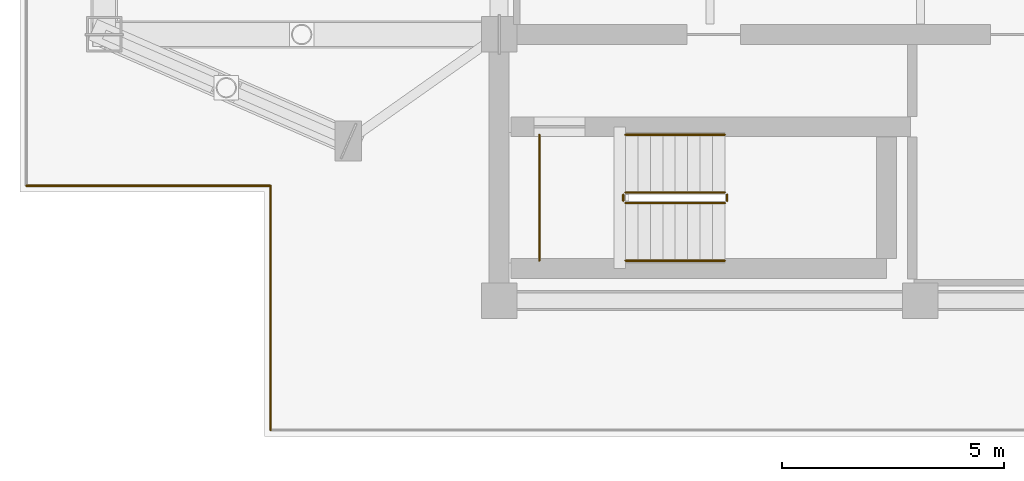
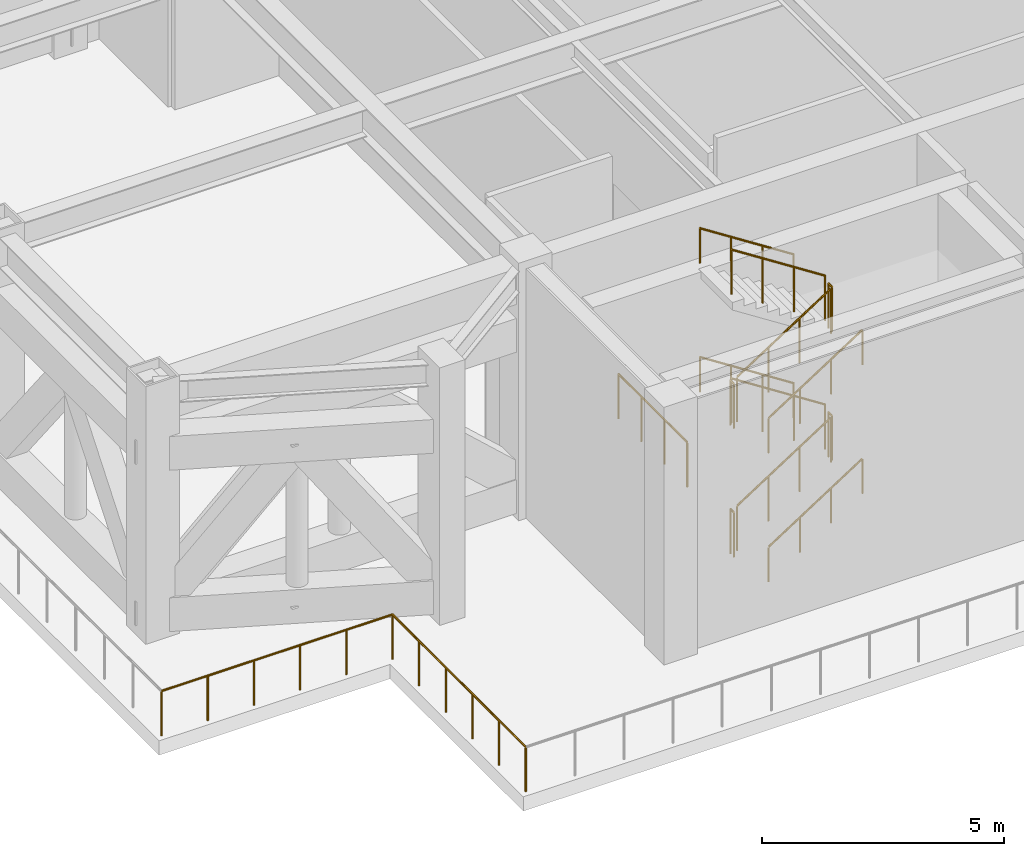
# One storey, part 8 of 11: 15 railings.
"""IFC4 building model written with IfcOpenShell, lengths in metres."""

from ifc_helpers import new_model, si_unit, direction, frame, origin, origin_2d, place, context, subcontext, project, spatial, circle, extrude, material, type_object, element, save


model = new_model("IFC4")

# Units and contexts
model_context = context("Model", 3, precision=1e-05, world=origin(), true_north=direction((0.0, 1.0)))
body_context = subcontext(model_context, "Body", "Model", "MODEL_VIEW")
ifc_project = project(units=[si_unit("LENGTHUNIT", "METRE"), si_unit("AREAUNIT", "SQUARE_METRE"), si_unit("VOLUMEUNIT", "CUBIC_METRE"), si_unit("PLANEANGLEUNIT", "RADIAN"), si_unit("MASSUNIT", "GRAM", prefix="KILO")], contexts=[model_context])

# Site, building, storey
site_placement = place(None, origin())
site = spatial("IfcSite", under=ifc_project, at=site_placement, CompositionType="ELEMENT")
building_placement = place(site_placement, origin())
building = spatial("IfcBuilding", under=site, at=building_placement, Name="Mirazonda Arch Towers", CompositionType="ELEMENT")
storey_placement = place(building_placement, frame((0.0, 0.0, 212.89990234375)))
storey = spatial("IfcBuildingStorey", under=building, at=storey_placement, Name="L61", CompositionType="ELEMENT", Elevation=212.89990234375)

# Railings
ifc_material = material(Name="Architectural Brushed Steel S355", Category="steel")
railing_type_1 = type_object("IfcRailingType", Name="GUARD-EXT-1150", PredefinedType="GUARDRAIL", material=ifc_material)
railing_1_placement = place(storey_placement, frame((0.340087890625, 14.989990234375, 0.0)))
element("IfcRailing", 1, at=railing_1_placement, inside=storey, type_object=railing_type_1, Name="L61 T1 Open Wind-Portal Perimeter Guard 11", PredefinedType="GUARDRAIL", context=body_context, shape_type="SweptSolid", body=[
    extrude(circle(Radius=0.02392578125, at=origin_2d()), frame((0.0, 0.0, 1.1259765625), z_axis=(1.0, 0.0, 0.0), x_axis=(0.0, 1.0, 0.0)), (0.0, 0.0, 1.0), 5.510009765625),
    extrude(circle(Radius=0.02099609375, at=origin_2d()), origin(), (0.0, 0.0, 1.0), 1.101806640625),
    extrude(circle(Radius=0.02099609375, at=origin_2d()), frame((1.10205078125, 0.0, 0.0)), (0.0, 0.0, 1.0), 1.101806640625),
    extrude(circle(Radius=0.02099609375, at=origin_2d()), frame((2.2041015625, 0.0, 0.0)), (0.0, 0.0, 1.0), 1.101806640625),
    extrude(circle(Radius=0.02099609375, at=origin_2d()), frame((3.305908203125, 0.0, 0.0)), (0.0, 0.0, 1.0), 1.101806640625),
    extrude(circle(Radius=0.02099609375, at=origin_2d()), frame((4.407958984375, 0.0, 0.0)), (0.0, 0.0, 1.0), 1.101806640625),
    extrude(circle(Radius=0.02099609375, at=origin_2d()), frame((5.510009765625, 0.0, 0.0)), (0.0, 0.0, 1.0), 1.101806640625),
])
railing_2_placement = place(storey_placement, frame((5.85009765625, 14.989990234375, 0.0)))
element("IfcRailing", 2, at=railing_2_placement, inside=storey, type_object=railing_type_1, Name="L61 T1 Open Wind-Portal Perimeter Guard 12", PredefinedType="GUARDRAIL", context=body_context, shape_type="SweptSolid", body=[
    extrude(circle(Radius=0.02392578125, at=origin_2d()), frame((0.0, 0.0, 1.1259765625), z_axis=(0.0, -1.0, 0.0), x_axis=(1.0, 0.0, 0.0)), (0.0, 0.0, 1.0), 5.510009765625),
    extrude(circle(Radius=0.02099609375, at=origin_2d()), origin(), (0.0, 0.0, 1.0), 1.101806640625),
    extrude(circle(Radius=0.02099609375, at=origin_2d()), frame((0.0, -1.10205078125, 0.0)), (0.0, 0.0, 1.0), 1.101806640625),
    extrude(circle(Radius=0.02099609375, at=origin_2d()), frame((0.0, -2.2041015625, 0.0)), (0.0, 0.0, 1.0), 1.101806640625),
    extrude(circle(Radius=0.02099609375, at=origin_2d()), frame((0.0, -3.305908203125, 0.0)), (0.0, 0.0, 1.0), 1.101806640625),
    extrude(circle(Radius=0.02099609375, at=origin_2d()), frame((0.0, -4.407958984375, 0.0)), (0.0, 0.0, 1.0), 1.101806640625),
    extrude(circle(Radius=0.02099609375, at=origin_2d()), frame((0.0, -5.510009765625, 0.0)), (0.0, 0.0, 1.0), 1.101806640625),
])
railing_type_2 = type_object("IfcRailingType", Name="GUARD-STAIR-1120", PredefinedType="GUARDRAIL", material=ifc_material)
railing_3_placement = place(storey_placement, frame((13.85009765625, 14.60009765625, 0.1806640625)))
element("IfcRailing", 3, at=railing_3_placement, inside=storey, type_object=railing_type_2, Name="L61 ST-T1S stair guard 1", PredefinedType="GUARDRAIL", context=body_context, shape_type="SweptSolid", body=[
    extrude(circle(Radius=0.02392578125, at=origin_2d()), frame((0.0, 0.0, 1.1259765625), z_axis=(0.840436612492, 0.0, 0.541909863706), x_axis=(0.0, 1.0, 0.0)), (0.0, 0.0, 1.0), 2.665283203125),
    extrude(circle(Radius=0.02099609375, at=origin_2d()), origin(), (0.0, 0.0, 1.0), 1.101806640625),
    extrude(circle(Radius=0.02099609375, at=origin_2d()), frame((0.74658203125, 0.0, 0.4814453125)), (0.0, 0.0, 1.0), 1.101806640625),
    extrude(circle(Radius=0.02099609375, at=origin_2d()), frame((1.493408203125, 0.0, 0.962890625)), (0.0, 0.0, 1.0), 1.101806640625),
    extrude(circle(Radius=0.02099609375, at=origin_2d()), frame((2.239990234375, 0.0, 1.4443359375)), (0.0, 0.0, 1.0), 1.101806640625),
])
railing_4_placement = place(storey_placement, frame((16.139892578125, 14.64990234375, 1.625)))
element("IfcRailing", 4, at=railing_4_placement, inside=storey, type_object=railing_type_2, Name="L61 ST-T1S stair guard 2", PredefinedType="GUARDRAIL", context=body_context, shape_type="SweptSolid", body=[
    extrude(circle(Radius=0.02392578125, at=origin_2d()), frame((0.0, 0.0, 1.1259765625), z_axis=(0.0, 1.0, 0.0), x_axis=(-1.0, 0.0, 0.0)), (0.0, 0.0, 1.0), 0.14013671875),
    extrude(circle(Radius=0.02099609375, at=origin_2d()), origin(), (0.0, 0.0, 1.0), 1.101806640625),
    extrude(circle(Radius=0.02099609375, at=origin_2d()), frame((0.0, 0.14013671875, 0.0)), (0.0, 0.0, 1.0), 1.101806640625),
])
railing_5_placement = place(storey_placement, frame((16.090087890625, 14.840087890625, 1.8056640625)))
element("IfcRailing", 5, at=railing_5_placement, inside=storey, type_object=railing_type_2, Name="L61 ST-T1S stair guard 3", PredefinedType="GUARDRAIL", context=body_context, shape_type="SweptSolid", body=[
    extrude(circle(Radius=0.02392578125, at=origin_2d()), frame((0.0, 0.0, 1.1259765625), z_axis=(-0.840436612492, 0.0, 0.541909863706), x_axis=(0.0, -1.0, 0.0)), (0.0, 0.0, 1.0), 2.665283203125),
    extrude(circle(Radius=0.02099609375, at=origin_2d()), origin(), (0.0, 0.0, 1.0), 1.101806640625),
    extrude(circle(Radius=0.02099609375, at=origin_2d()), frame((-0.74658203125, 0.0, 0.4814453125)), (0.0, 0.0, 1.0), 1.101806640625),
    extrude(circle(Radius=0.02099609375, at=origin_2d()), frame((-1.493408203125, 0.0, 0.962890625)), (0.0, 0.0, 1.0), 1.101806640625),
    extrude(circle(Radius=0.02099609375, at=origin_2d()), frame((-2.239990234375, 0.0, 1.4443359375)), (0.0, 0.0, 1.0), 1.101806640625),
])
railing_6_placement = place(storey_placement, frame((13.800048828125, 14.64990234375, 3.25)))
element("IfcRailing", 6, at=railing_6_placement, inside=storey, type_object=railing_type_2, Name="L61 ST-T1S stair guard 4", PredefinedType="GUARDRAIL", context=body_context, shape_type="SweptSolid", body=[
    extrude(circle(Radius=0.02392578125, at=origin_2d()), frame((0.0, 0.0, 1.1259765625), z_axis=(0.0, 1.0, 0.0), x_axis=(-1.0, 0.0, 0.0)), (0.0, 0.0, 1.0), 0.14013671875),
    extrude(circle(Radius=0.02099609375, at=origin_2d()), origin(), (0.0, 0.0, 1.0), 1.101806640625),
    extrude(circle(Radius=0.02099609375, at=origin_2d()), frame((0.0, 0.14013671875, 0.0)), (0.0, 0.0, 1.0), 1.101806640625),
])
railing_7_placement = place(storey_placement, frame((13.85009765625, 14.60009765625, 3.4306640625)))
element("IfcRailing", 7, at=railing_7_placement, inside=storey, type_object=railing_type_2, Name="L61 ST-T1S stair guard 5", PredefinedType="GUARDRAIL", context=body_context, shape_type="SweptSolid", body=[
    extrude(circle(Radius=0.02392578125, at=origin_2d()), frame((0.0, 0.0, 1.1259765625), z_axis=(0.840436612492, 0.0, 0.541909863706), x_axis=(0.0, 1.0, 0.0)), (0.0, 0.0, 1.0), 2.665283203125),
    extrude(circle(Radius=0.02099609375, at=origin_2d()), origin(), (0.0, 0.0, 1.0), 1.101806640625),
    extrude(circle(Radius=0.02099609375, at=origin_2d()), frame((0.74658203125, 0.0, 0.4814453125)), (0.0, 0.0, 1.0), 1.101806640625),
    extrude(circle(Radius=0.02099609375, at=origin_2d()), frame((1.493408203125, 0.0, 0.962890625)), (0.0, 0.0, 1.0), 1.101806640625),
    extrude(circle(Radius=0.02099609375, at=origin_2d()), frame((2.239990234375, 0.0, 1.4443359375)), (0.0, 0.0, 1.0), 1.101806640625),
])
railing_8_placement = place(storey_placement, frame((16.139892578125, 14.64990234375, 4.875)))
element("IfcRailing", 8, at=railing_8_placement, inside=storey, type_object=railing_type_2, Name="L61 ST-T1S stair guard 6", PredefinedType="GUARDRAIL", context=body_context, shape_type="SweptSolid", body=[
    extrude(circle(Radius=0.02392578125, at=origin_2d()), frame((0.0, 0.0, 1.1259765625), z_axis=(0.0, 1.0, 0.0), x_axis=(-1.0, 0.0, 0.0)), (0.0, 0.0, 1.0), 0.14013671875),
    extrude(circle(Radius=0.02099609375, at=origin_2d()), origin(), (0.0, 0.0, 1.0), 1.101806640625),
    extrude(circle(Radius=0.02099609375, at=origin_2d()), frame((0.0, 0.14013671875, 0.0)), (0.0, 0.0, 1.0), 1.101806640625),
])
railing_9_placement = place(storey_placement, frame((16.090087890625, 14.840087890625, 5.0556640625)))
element("IfcRailing", 9, at=railing_9_placement, inside=storey, type_object=railing_type_2, Name="L61 ST-T1S stair guard 7", PredefinedType="GUARDRAIL", context=body_context, shape_type="SweptSolid", body=[
    extrude(circle(Radius=0.02392578125, at=origin_2d()), frame((0.0, 0.0, 1.1259765625), z_axis=(-0.840436612492, 0.0, 0.541909863706), x_axis=(0.0, -1.0, 0.0)), (0.0, 0.0, 1.0), 2.665283203125),
    extrude(circle(Radius=0.02099609375, at=origin_2d()), origin(), (0.0, 0.0, 1.0), 1.101806640625),
    extrude(circle(Radius=0.02099609375, at=origin_2d()), frame((-0.74658203125, 0.0, 0.4814453125)), (0.0, 0.0, 1.0), 1.101806640625),
    extrude(circle(Radius=0.02099609375, at=origin_2d()), frame((-1.493408203125, 0.0, 0.962890625)), (0.0, 0.0, 1.0), 1.101806640625),
    extrude(circle(Radius=0.02099609375, at=origin_2d()), frame((-2.239990234375, 0.0, 1.4443359375)), (0.0, 0.0, 1.0), 1.101806640625),
])
railing_10_placement = place(storey_placement, frame((13.800048828125, 14.64990234375, 0.0)))
element("IfcRailing", 10, at=railing_10_placement, inside=storey, type_object=railing_type_2, Name="L61 ST-T1S stair guard 8", PredefinedType="GUARDRAIL", context=body_context, shape_type="SweptSolid", body=[
    extrude(circle(Radius=0.02392578125, at=origin_2d()), frame((0.0, 0.0, 1.1259765625), z_axis=(0.0, 1.0, 0.0), x_axis=(-1.0, 0.0, 0.0)), (0.0, 0.0, 1.0), 0.14013671875),
    extrude(circle(Radius=0.02099609375, at=origin_2d()), origin(), (0.0, 0.0, 1.0), 1.101806640625),
    extrude(circle(Radius=0.02099609375, at=origin_2d()), frame((0.0, 0.14013671875, 0.0)), (0.0, 0.0, 1.0), 1.101806640625),
])
railing_11_placement = place(storey_placement, frame((11.909912109375, 13.300048828125, 3.25)))
element("IfcRailing", 11, at=railing_11_placement, inside=storey, type_object=railing_type_2, Name="L61 ST-T1S stair guard 9", PredefinedType="GUARDRAIL", context=body_context, shape_type="SweptSolid", body=[
    extrude(circle(Radius=0.02392578125, at=origin_2d()), frame((0.0, 0.0, 1.1259765625), z_axis=(0.0, 1.0, 0.0), x_axis=(-1.0, 0.0, 0.0)), (0.0, 0.0, 1.0), 2.83984375),
    extrude(circle(Radius=0.02099609375, at=origin_2d()), origin(), (0.0, 0.0, 1.0), 1.101806640625),
    extrude(circle(Radius=0.02099609375, at=origin_2d()), frame((0.0, 0.946533203125, 0.0)), (0.0, 0.0, 1.0), 1.101806640625),
    extrude(circle(Radius=0.02099609375, at=origin_2d()), frame((0.0, 1.893310546875, 0.0)), (0.0, 0.0, 1.0), 1.101806640625),
    extrude(circle(Radius=0.02099609375, at=origin_2d()), frame((0.0, 2.83984375, 0.0)), (0.0, 0.0, 1.0), 1.101806640625),
])
railing_type_3 = type_object("IfcRailingType", Name="HANDRAIL-915", PredefinedType="HANDRAIL", material=ifc_material)
railing_12_placement = place(storey_placement, frame((13.85009765625, 13.300048828125, 0.1806640625)))
element("IfcRailing", 12, at=railing_12_placement, inside=storey, type_object=railing_type_3, Name="L61 ST-T1S stair handrail 1", PredefinedType="HANDRAIL", context=body_context, shape_type="SweptSolid", body=[
    extrude(circle(Radius=0.02392578125, at=origin_2d()), frame((0.0, 0.0, 0.8759765625), z_axis=(0.840436612492, 0.0, 0.541909863706), x_axis=(0.0, 1.0, 0.0)), (0.0, 0.0, 1.0), 2.665283203125),
    extrude(circle(Radius=0.02099609375, at=origin_2d()), origin(), (0.0, 0.0, 1.0), 0.851806640625),
    extrude(circle(Radius=0.02099609375, at=origin_2d()), frame((0.74658203125, 0.0, 0.4814453125)), (0.0, 0.0, 1.0), 0.851806640625),
    extrude(circle(Radius=0.02099609375, at=origin_2d()), frame((1.493408203125, 0.0, 0.962890625)), (0.0, 0.0, 1.0), 0.851806640625),
    extrude(circle(Radius=0.02099609375, at=origin_2d()), frame((2.239990234375, 0.0, 1.4443359375)), (0.0, 0.0, 1.0), 0.851806640625),
])
railing_13_placement = place(storey_placement, frame((16.090087890625, 16.139892578125, 1.8056640625)))
element("IfcRailing", 13, at=railing_13_placement, inside=storey, type_object=railing_type_3, Name="L61 ST-T1S stair handrail 2", PredefinedType="HANDRAIL", context=body_context, shape_type="SweptSolid", body=[
    extrude(circle(Radius=0.02392578125, at=origin_2d()), frame((0.0, 0.0, 0.8759765625), z_axis=(-0.840436612492, 0.0, 0.541909863706), x_axis=(0.0, -1.0, 0.0)), (0.0, 0.0, 1.0), 2.665283203125),
    extrude(circle(Radius=0.02099609375, at=origin_2d()), origin(), (0.0, 0.0, 1.0), 0.851806640625),
    extrude(circle(Radius=0.02099609375, at=origin_2d()), frame((-0.74658203125, 0.0, 0.4814453125)), (0.0, 0.0, 1.0), 0.851806640625),
    extrude(circle(Radius=0.02099609375, at=origin_2d()), frame((-1.493408203125, 0.0, 0.962890625)), (0.0, 0.0, 1.0), 0.851806640625),
    extrude(circle(Radius=0.02099609375, at=origin_2d()), frame((-2.239990234375, 0.0, 1.4443359375)), (0.0, 0.0, 1.0), 0.851806640625),
])
railing_14_placement = place(storey_placement, frame((13.85009765625, 13.300048828125, 3.4306640625)))
element("IfcRailing", 14, at=railing_14_placement, inside=storey, type_object=railing_type_3, Name="L61 ST-T1S stair handrail 3", PredefinedType="HANDRAIL", context=body_context, shape_type="SweptSolid", body=[
    extrude(circle(Radius=0.02392578125, at=origin_2d()), frame((0.0, 0.0, 0.8759765625), z_axis=(0.840436612492, 0.0, 0.541909863706), x_axis=(0.0, 1.0, 0.0)), (0.0, 0.0, 1.0), 2.665283203125),
    extrude(circle(Radius=0.02099609375, at=origin_2d()), origin(), (0.0, 0.0, 1.0), 0.851806640625),
    extrude(circle(Radius=0.02099609375, at=origin_2d()), frame((0.74658203125, 0.0, 0.4814453125)), (0.0, 0.0, 1.0), 0.851806640625),
    extrude(circle(Radius=0.02099609375, at=origin_2d()), frame((1.493408203125, 0.0, 0.962890625)), (0.0, 0.0, 1.0), 0.851806640625),
    extrude(circle(Radius=0.02099609375, at=origin_2d()), frame((2.239990234375, 0.0, 1.4443359375)), (0.0, 0.0, 1.0), 0.851806640625),
])
railing_15_placement = place(storey_placement, frame((16.090087890625, 16.139892578125, 5.0556640625)))
element("IfcRailing", 15, at=railing_15_placement, inside=storey, type_object=railing_type_3, Name="L61 ST-T1S stair handrail 4", PredefinedType="HANDRAIL", context=body_context, shape_type="SweptSolid", body=[
    extrude(circle(Radius=0.02392578125, at=origin_2d()), frame((0.0, 0.0, 0.8759765625), z_axis=(-0.840436612492, 0.0, 0.541909863706), x_axis=(0.0, -1.0, 0.0)), (0.0, 0.0, 1.0), 2.665283203125),
    extrude(circle(Radius=0.02099609375, at=origin_2d()), origin(), (0.0, 0.0, 1.0), 0.851806640625),
    extrude(circle(Radius=0.02099609375, at=origin_2d()), frame((-0.74658203125, 0.0, 0.4814453125)), (0.0, 0.0, 1.0), 0.851806640625),
    extrude(circle(Radius=0.02099609375, at=origin_2d()), frame((-1.493408203125, 0.0, 0.962890625)), (0.0, 0.0, 1.0), 0.851806640625),
    extrude(circle(Radius=0.02099609375, at=origin_2d()), frame((-2.239990234375, 0.0, 1.4443359375)), (0.0, 0.0, 1.0), 0.851806640625),
])

save(model, "model.ifc")
